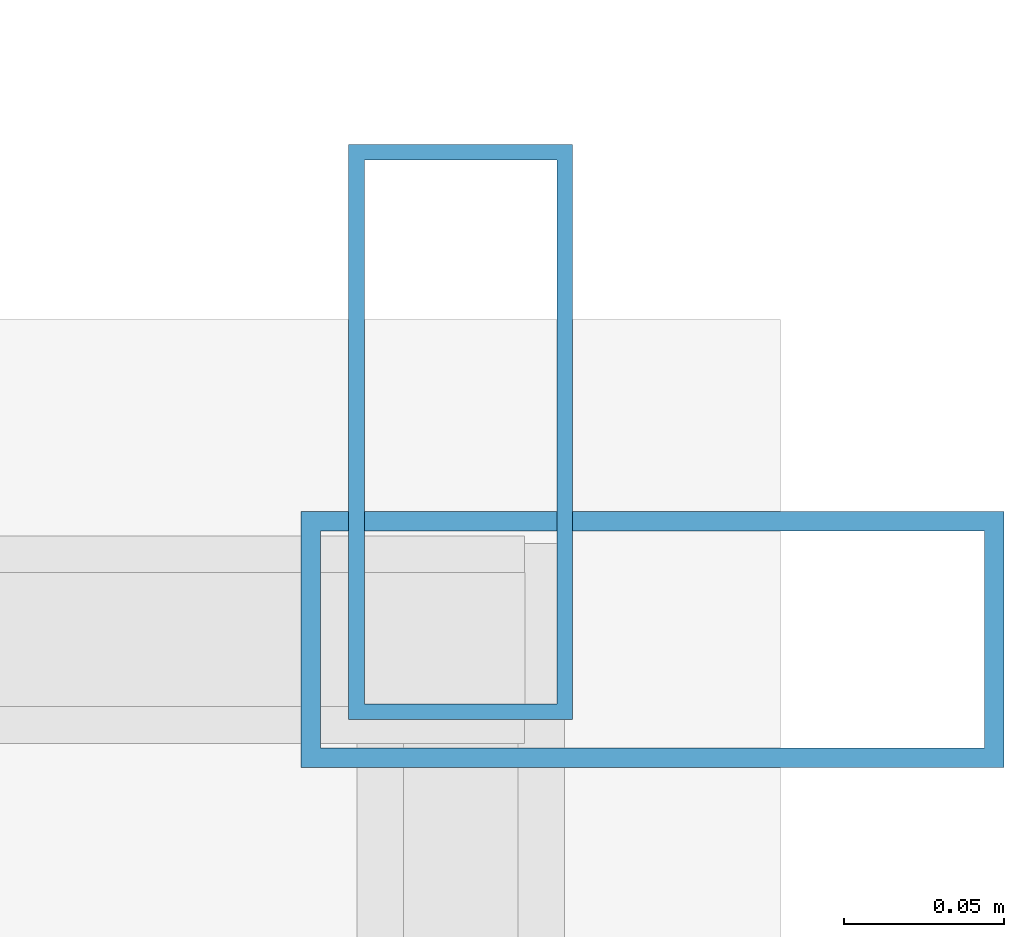
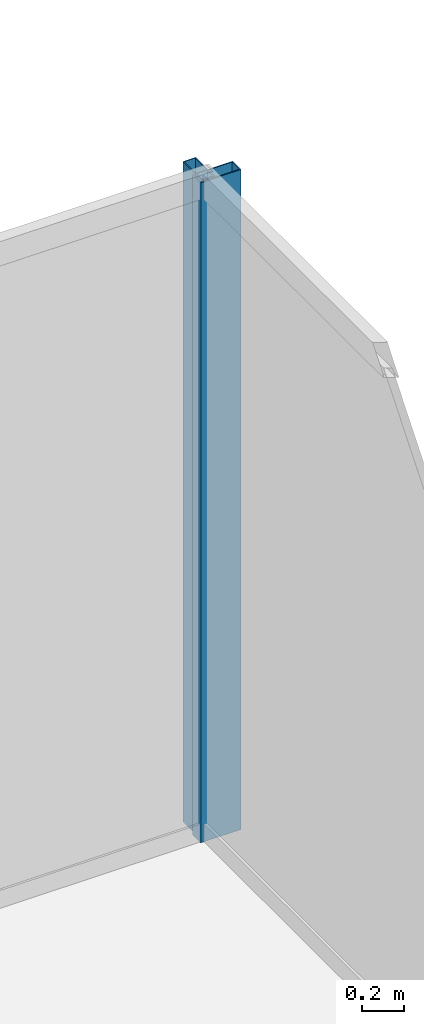
# One storey, part 26 of 33: 2 members, 2 elements without a shape of their own.
"""IFC4 building model written with IfcOpenShell, lengths in metres."""

from ifc_helpers import new_model, si_unit, direction, frame, origin, origin_2d, place, context, subcontext, project, spatial, hollow_rectangle, extrude, source, transform, mapped, material, layer, layer_set, material_profile, profile_set, type_object, type_shapes, element, aggregate, save


model = new_model("IFC4")

# Units and contexts
model_context = context("Model", 3, precision=1e-05, world=origin(), true_north=direction((0.0, 1.0)))
body_context = subcontext(model_context, "Body", "Model", "MODEL_VIEW")
ifc_project = project(units=[si_unit("LENGTHUNIT", "METRE"), si_unit("AREAUNIT", "SQUARE_METRE"), si_unit("VOLUMEUNIT", "CUBIC_METRE"), si_unit("PLANEANGLEUNIT", "RADIAN"), si_unit("MASSUNIT", "GRAM", prefix="KILO")], contexts=[model_context])

# Site, building, storey
site_placement = place(None, origin())
site = spatial("IfcSite", under=ifc_project, at=site_placement, CompositionType="ELEMENT")
building_placement = place(site_placement, origin())
building = spatial("IfcBuilding", under=site, at=building_placement, Name="Haelvirn Gate Laboratories", CompositionType="ELEMENT")
storey_placement = place(building_placement, frame((0.0, 0.0, 275.199951171875)))
storey = spatial("IfcBuildingStorey", under=building, at=storey_placement, Name="L66", CompositionType="ELEMENT", Elevation=275.199951171875)

# Curtain wall, member
ifc_material_1 = material(Name="Anodised bronze unitised aluminium & triple low-E glass", Category="aluminium")
ifc_layer_1 = layer(ifc_material_1, 0.176025390625, Name="CW-SYS-4")
ifc_layer_set_1 = layer_set([ifc_layer_1], Name="Anodised bronze unitised aluminium & triple low-E glass")
curtain_wall_type_1 = type_object("IfcCurtainWallType", Name="CW-SYS-4", PredefinedType="NOTDEFINED", material=ifc_layer_set_1)
curtain_wall_1_placement = place(storey_placement, origin())
curtain_wall_1 = element("IfcCurtainWall", 1, at=curtain_wall_1_placement, inside=storey, type_object=curtain_wall_type_1, Name="L66 Unitised Curtain Wall CW-L66-P0-E07", PredefinedType="NOTDEFINED")
ifc_material_2 = material(Name="Extruded aluminium 6063-T6 (anodised bronze)", Category="aluminium")
ifc_material_profile_1 = material_profile(ifc_material_2, hollow_rectangle(XDim=0.070068359375, YDim=0.179931640625, WallThickness=0.0048828125, at=origin_2d()), Name="CWM-180x70x5")
ifc_profile_set_1 = profile_set([ifc_material_profile_1], Name="Extruded aluminium 6063-T6 (anodised bronze)")
member_type_1 = type_object("IfcMemberType", Name="CWM-T180", PredefinedType="MULLION", material=ifc_profile_set_1)
shared_shape_1 = source(origin(), body_context, "Body", "SweptSolid", [
    extrude(hollow_rectangle(XDim=0.070068359375, YDim=0.179931640625, WallThickness=0.0048828125, at=origin_2d()), origin(), (0.0, 0.0, 1.0), 3.800048828125),
])
type_shapes(member_type_1, [shared_shape_1])
member_1_placement = place(storey_placement, frame((70.699951171875, 42.764892578125, 0.0), z_axis=(0.0, 0.0, 1.0), x_axis=(-1.0, 0.0, 0.0)))
member_1 = element("IfcMember", 2, at=member_1_placement, type_object=member_type_1, Name="CW4 mullion 3", PredefinedType="MULLION", context=body_context, shape_type="MappedRepresentation", body=[
    mapped(shared_shape_1, transform((0.0, 0.0, 0.0), scale=1.0)),
])
aggregate(curtain_wall_1, [member_1])

ifc_layer_2 = layer(ifc_material_1, 0.181884765625, Name="CW-SYS-5")
ifc_layer_set_2 = layer_set([ifc_layer_2], Name="Anodised bronze unitised aluminium & triple low-E glass")
curtain_wall_type_2 = type_object("IfcCurtainWallType", Name="CW-SYS-5", PredefinedType="NOTDEFINED", material=ifc_layer_set_2)
curtain_wall_2_placement = place(storey_placement, origin())
curtain_wall_2 = element("IfcCurtainWall", 3, at=curtain_wall_2_placement, inside=storey, type_object=curtain_wall_type_2, Name="L66 Unitised Curtain Wall CW-L66-P0-E08-1", PredefinedType="NOTDEFINED")
ifc_material_profile_2 = material_profile(ifc_material_2, hollow_rectangle(XDim=0.080078125, YDim=0.219970703125, WallThickness=0.006103515625, at=origin_2d()), Name="CWM-220x80x6")
ifc_profile_set_2 = profile_set([ifc_material_profile_2], Name="Extruded aluminium 6063-T6 (anodised bronze)")
member_type_2 = type_object("IfcMemberType", Name="CWM-T220", PredefinedType="MULLION", material=ifc_profile_set_2)
shared_shape_2 = source(origin(), body_context, "Body", "SweptSolid", [
    extrude(hollow_rectangle(XDim=0.080078125, YDim=0.219970703125, WallThickness=0.006103515625, at=origin_2d()), origin(), (0.0, 0.0, 1.0), 3.800048828125),
])
type_shapes(member_type_2, [shared_shape_2])
member_2_placement = place(storey_placement, frame((70.760009765625, 42.699951171875, 0.0), z_axis=(0.0, 0.0, 1.0), x_axis=(0.0, 1.0, 0.0)))
member_2 = element("IfcMember", 4, at=member_2_placement, type_object=member_type_2, Name="CW5 mullion 2", PredefinedType="MULLION", context=body_context, shape_type="MappedRepresentation", body=[
    mapped(shared_shape_2, transform((0.0, 0.0, 0.0), scale=1.0)),
])
aggregate(curtain_wall_2, [member_2])

save(model, "model.ifc")
